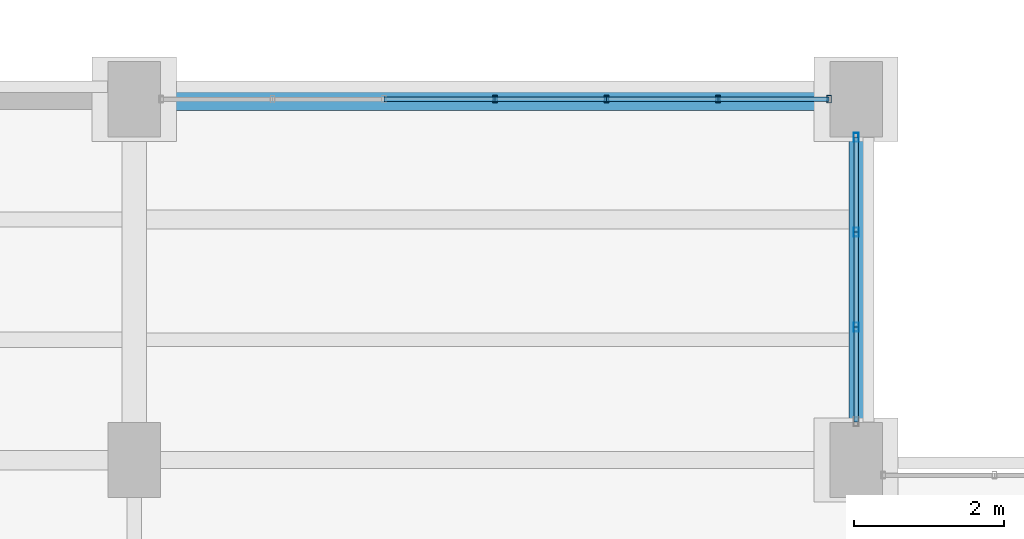
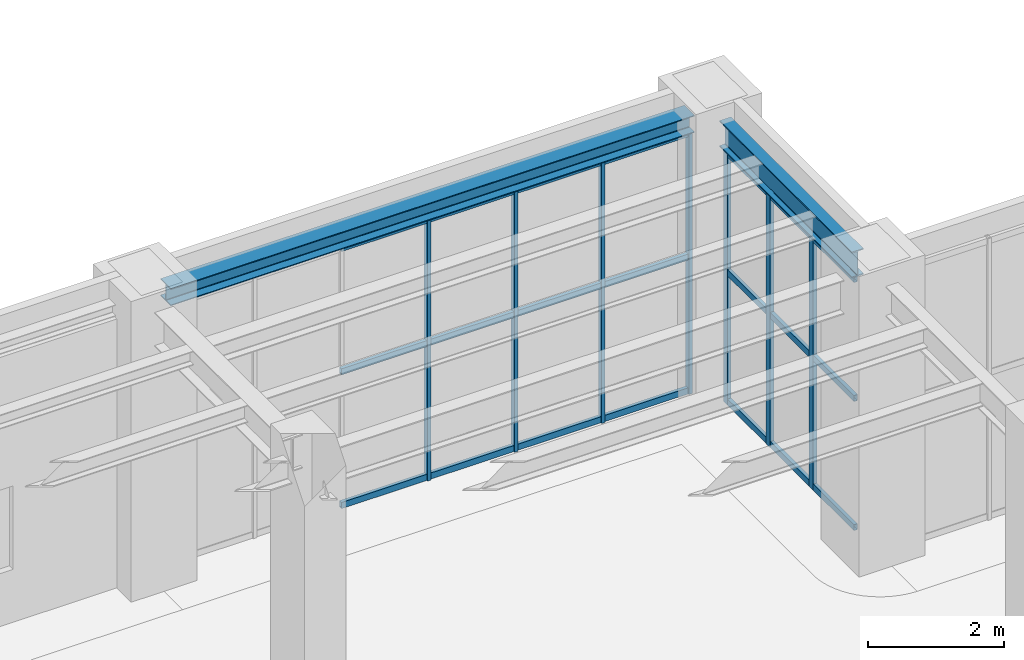
# One storey, part 89 of 164: 28 members, 2 beams, 2 elements without a shape of their own.
"""IFC4 building model written with IfcOpenShell, lengths in metres."""

from ifc_helpers import new_model, si_unit, direction, frame, origin, origin_2d, place, context, subcontext, project, spatial, hollow_rectangle, i_section, extrude, material, material_profile, profile_set, type_object, element, aggregate, save


model = new_model("IFC4")

# Units and contexts
model_context = context("Model", 3, precision=1e-05, world=origin(), true_north=direction((0.0, 1.0)))
body_context = subcontext(model_context, "Body", "Model", "MODEL_VIEW")
ifc_project = project(units=[si_unit("LENGTHUNIT", "METRE"), si_unit("AREAUNIT", "SQUARE_METRE"), si_unit("VOLUMEUNIT", "CUBIC_METRE"), si_unit("PLANEANGLEUNIT", "RADIAN"), si_unit("MASSUNIT", "GRAM", prefix="KILO")], contexts=[model_context])

# Site, building, storey
site_placement = place(None, origin())
site = spatial("IfcSite", under=ifc_project, at=site_placement, CompositionType="ELEMENT")
building_placement = place(site_placement, origin())
building = spatial("IfcBuilding", under=site, at=building_placement, Name="Mavantir Sound Aquarium", CompositionType="ELEMENT")
storey_placement = place(building_placement, origin())
storey = spatial("IfcBuildingStorey", under=building, at=storey_placement, Name="L00", CompositionType="ELEMENT", Elevation=0.0)

# Beams
ifc_material_1 = material(Name="Structural Steel ASTM A992 Gr50", Category="steel")
ifc_material_profile_1 = material_profile(ifc_material_1, i_section(OverallWidth=0.304931640625, OverallDepth=0.30810546875, WebThickness=0.010009765625, FlangeThickness=0.015380859375, FilletRadius=0.014892578125, at=origin_2d()), Name="W310X97")
ifc_profile_set_1 = profile_set([ifc_material_profile_1], Name="Structural Steel ASTM A992 Gr50")
beam_type_1 = type_object("IfcBeamType", Name="BM-W310X97-E", PredefinedType="SPANDREL", material=ifc_profile_set_1)
beam_1_placement = place(storey_placement, frame((108.35009765625, 95.60009765625, 4.912109375), z_axis=(1.0, 0.0, 0.0), x_axis=(0.0, 1.0, 0.0)))
element("IfcBeam", 1, at=beam_1_placement, inside=storey, type_object=beam_type_1, Name="L00 primary beam SS-31A 955", PredefinedType="SPANDREL", context=body_context, shape_type="SweptSolid", body=[
    extrude(i_section(OverallWidth=0.304931640625, OverallDepth=0.30810546875, WebThickness=0.010009765625, FlangeThickness=0.015380859375, FilletRadius=0.014892578125, at=origin_2d()), origin(), (0.0, 0.0, 1.0), 8.89990234375),
])
ifc_material_profile_2 = material_profile(ifc_material_1, i_section(OverallWidth=0.194091796875, OverallDepth=0.468994140625, WebThickness=0.0126953125, FlangeThickness=0.0205078125, FilletRadius=0.01611328125, at=origin_2d()), Name="W460X106")
ifc_profile_set_2 = profile_set([ifc_material_profile_2], Name="Structural Steel ASTM A992 Gr50")
beam_type_2 = type_object("IfcBeamType", Name="BM-W460X106-I", PredefinedType="BEAM", material=ifc_profile_set_2)
beam_2_placement = place(storey_placement, frame((117.60009765625, 91.25, 4.83154296875), z_axis=(0.0, 1.0, 0.0), x_axis=(-1.0, 0.0, 0.0)))
element("IfcBeam", 2, at=beam_2_placement, inside=storey, type_object=beam_type_2, Name="L00 primary girder SB-46 984", PredefinedType="BEAM", context=body_context, shape_type="SweptSolid", body=[
    extrude(i_section(OverallWidth=0.194091796875, OverallDepth=0.468994140625, WebThickness=0.0126953125, FlangeThickness=0.0205078125, FilletRadius=0.01611328125, at=origin_2d()), origin(), (0.0, 0.0, 1.0), 3.89990234375),
])

# Curtain wall, members
ifc_material_2 = material(Name="Anodised Marine Aluminium and Low-E Glass", Category="aluminium")
curtain_wall_type_1 = type_object("IfcCurtainWallType", Name="CW-T19", PredefinedType="USERDEFINED", material=ifc_material_2)
curtain_wall_1_placement = place(storey_placement, origin())
curtain_wall_1 = element("IfcCurtainWall", 3, at=curtain_wall_1_placement, inside=storey, type_object=curtain_wall_type_1, Name="L00 unitised curtain wall CW-19 19", ObjectType="UNITISED GLAZING", PredefinedType="USERDEFINED")
ifc_material_3 = material(Name="Anodised Marine Aluminium 6063-T6", Category="aluminium")
ifc_material_profile_3 = material_profile(ifc_material_3, hollow_rectangle(XDim=0.06005859375, YDim=0.10009765625, WallThickness=0.00390625, at=origin_2d()), Name="ALU-MULLION-100X60")
ifc_profile_set_3 = profile_set([ifc_material_profile_3], Name="Anodised Marine Aluminium 6063-T6")
member_type_1 = type_object("IfcMemberType", Name="CW-MUL-100", PredefinedType="MULLION", material=ifc_profile_set_3)
member_1_placement = place(storey_placement, frame((117.241943359375, 95.60009765625, 0.0), z_axis=(0.0, 0.0, 1.0), x_axis=(1.0, 0.0, 0.0)))
member_1 = element("IfcMember", 4, at=member_1_placement, type_object=member_type_1, Name="CW-L00-019 vertical mullion 1", PredefinedType="MULLION", context=body_context, shape_type="SweptSolid", body=[
    extrude(hollow_rectangle(XDim=0.06005859375, YDim=0.10009765625, WallThickness=0.00390625, at=origin_2d()), origin(), (0.0, 0.0, 1.0), 4.72802734375),
])
member_2_placement = place(storey_placement, frame((115.76123046875, 95.60009765625, 0.0), z_axis=(0.0, 0.0, 1.0), x_axis=(1.0, 0.0, 0.0)))
member_2 = element("IfcMember", 5, at=member_2_placement, type_object=member_type_1, Name="CW-L00-019 vertical mullion 2", PredefinedType="MULLION", context=body_context, shape_type="SweptSolid", body=[
    extrude(hollow_rectangle(XDim=0.06005859375, YDim=0.10009765625, WallThickness=0.00390625, at=origin_2d()), origin(), (0.0, 0.0, 1.0), 4.72802734375),
])
member_3_placement = place(storey_placement, frame((114.28076171875, 95.60009765625, 0.0), z_axis=(0.0, 0.0, 1.0), x_axis=(1.0, 0.0, 0.0)))
member_3 = element("IfcMember", 6, at=member_3_placement, type_object=member_type_1, Name="CW-L00-019 vertical mullion 3", PredefinedType="MULLION", context=body_context, shape_type="SweptSolid", body=[
    extrude(hollow_rectangle(XDim=0.06005859375, YDim=0.10009765625, WallThickness=0.00390625, at=origin_2d()), origin(), (0.0, 0.0, 1.0), 4.72802734375),
])
member_4_placement = place(storey_placement, frame((112.800048828125, 95.60009765625, 0.0), z_axis=(0.0, 0.0, 1.0), x_axis=(1.0, 0.0, 0.0)))
member_4 = element("IfcMember", 7, at=member_4_placement, type_object=member_type_1, Name="CW-L00-019 vertical mullion 4", PredefinedType="MULLION", context=body_context, shape_type="SweptSolid", body=[
    extrude(hollow_rectangle(XDim=0.06005859375, YDim=0.10009765625, WallThickness=0.00390625, at=origin_2d()), origin(), (0.0, 0.0, 1.0), 4.72802734375),
])

curtain_wall_type_2 = type_object("IfcCurtainWallType", Name="CW-T18", PredefinedType="USERDEFINED", material=ifc_material_2)
curtain_wall_2_placement = place(storey_placement, origin())
curtain_wall_2 = element("IfcCurtainWall", 8, at=curtain_wall_2_placement, inside=storey, type_object=curtain_wall_type_2, Name="L00 unitised curtain wall CW-18 18", ObjectType="UNITISED GLAZING", PredefinedType="USERDEFINED")
ifc_material_profile_4 = material_profile(ifc_material_3, hollow_rectangle(XDim=0.06494140625, YDim=0.1201171875, WallThickness=0.00390625, at=origin_2d()), Name="ALU-MULLION-120X65")
ifc_profile_set_4 = profile_set([ifc_material_profile_4], Name="Anodised Marine Aluminium 6063-T6")
member_type_2 = type_object("IfcMemberType", Name="CW-MUL-120", PredefinedType="MULLION", material=ifc_profile_set_4)
member_5_placement = place(storey_placement, frame((117.60009765625, 92.5693359375, 0.0), z_axis=(0.0, 0.0, 1.0), x_axis=(1.0, 0.0, 0.0)))
member_5 = element("IfcMember", 9, at=member_5_placement, type_object=member_type_2, Name="CW-L00-018 vertical mullion 2", PredefinedType="MULLION", context=body_context, shape_type="SweptSolid", body=[
    extrude(hollow_rectangle(XDim=0.06494140625, YDim=0.1201171875, WallThickness=0.00390625, at=origin_2d()), origin(), (0.0, 0.0, 1.0), 4.56689453125),
])
member_6_placement = place(storey_placement, frame((117.60009765625, 93.830810546875, 0.0), z_axis=(0.0, 0.0, 1.0), x_axis=(1.0, 0.0, 0.0)))
member_6 = element("IfcMember", 10, at=member_6_placement, type_object=member_type_2, Name="CW-L00-018 vertical mullion 3", PredefinedType="MULLION", context=body_context, shape_type="SweptSolid", body=[
    extrude(hollow_rectangle(XDim=0.06494140625, YDim=0.1201171875, WallThickness=0.00390625, at=origin_2d()), origin(), (0.0, 0.0, 1.0), 4.56689453125),
])
member_7_placement = place(storey_placement, frame((117.60009765625, 95.092041015625, 0.0), z_axis=(0.0, 0.0, 1.0), x_axis=(1.0, 0.0, 0.0)))
member_7 = element("IfcMember", 11, at=member_7_placement, type_object=member_type_2, Name="CW-L00-018 vertical mullion 4", PredefinedType="MULLION", context=body_context, shape_type="SweptSolid", body=[
    extrude(hollow_rectangle(XDim=0.06494140625, YDim=0.1201171875, WallThickness=0.00390625, at=origin_2d()), origin(), (0.0, 0.0, 1.0), 4.56689453125),
])
ifc_material_profile_5 = material_profile(ifc_material_3, hollow_rectangle(XDim=0.06005859375, YDim=0.110107421875, WallThickness=0.00390625, at=origin_2d()), Name="ALU-TRANSOM-110X60")
ifc_profile_set_5 = profile_set([ifc_material_profile_5], Name="Anodised Marine Aluminium 6063-T6")
member_type_3 = type_object("IfcMemberType", Name="CW-TRN-110", PredefinedType="USERDEFINED", material=ifc_profile_set_5)
member_8_placement = place(storey_placement, frame((117.60009765625, 91.30810546875, 0.054931640625), z_axis=(0.0, 1.0, 0.0), x_axis=(-1.0, 0.0, 0.0)))
member_8 = element("IfcMember", 12, at=member_8_placement, type_object=member_type_3, Name="CW-L00-018 transom 1.1", ObjectType="TRANSOM", PredefinedType="USERDEFINED", context=body_context, shape_type="SweptSolid", body=[
    extrude(hollow_rectangle(XDim=0.06005859375, YDim=0.110107421875, WallThickness=0.00390625, at=origin_2d()), origin(), (0.0, 0.0, 1.0), 1.26123046875),
])
member_9_placement = place(storey_placement, frame((117.60009765625, 91.30810546875, 2.374755859375), z_axis=(0.0, 1.0, 0.0), x_axis=(-1.0, 0.0, 0.0)))
member_9 = element("IfcMember", 13, at=member_9_placement, type_object=member_type_3, Name="CW-L00-018 transom 1.2", ObjectType="TRANSOM", PredefinedType="USERDEFINED", context=body_context, shape_type="SweptSolid", body=[
    extrude(hollow_rectangle(XDim=0.06005859375, YDim=0.110107421875, WallThickness=0.00390625, at=origin_2d()), origin(), (0.0, 0.0, 1.0), 1.26123046875),
])
member_10_placement = place(storey_placement, frame((117.60009765625, 91.30810546875, 4.511962890625), z_axis=(0.0, 1.0, 0.0), x_axis=(-1.0, 0.0, 0.0)))
member_10 = element("IfcMember", 14, at=member_10_placement, type_object=member_type_3, Name="CW-L00-018 transom 1.3", ObjectType="TRANSOM", PredefinedType="USERDEFINED", context=body_context, shape_type="SweptSolid", body=[
    extrude(hollow_rectangle(XDim=0.06005859375, YDim=0.110107421875, WallThickness=0.00390625, at=origin_2d()), origin(), (0.0, 0.0, 1.0), 1.26123046875),
])
member_11_placement = place(storey_placement, frame((117.60009765625, 92.5693359375, 0.054931640625), z_axis=(0.0, 1.0, 0.0), x_axis=(-1.0, 0.0, 0.0)))
member_11 = element("IfcMember", 15, at=member_11_placement, type_object=member_type_3, Name="CW-L00-018 transom 2.1", ObjectType="TRANSOM", PredefinedType="USERDEFINED", context=body_context, shape_type="SweptSolid", body=[
    extrude(hollow_rectangle(XDim=0.06005859375, YDim=0.110107421875, WallThickness=0.00390625, at=origin_2d()), origin(), (0.0, 0.0, 1.0), 1.261474609375),
])
member_12_placement = place(storey_placement, frame((117.60009765625, 92.5693359375, 2.374755859375), z_axis=(0.0, 1.0, 0.0), x_axis=(-1.0, 0.0, 0.0)))
member_12 = element("IfcMember", 16, at=member_12_placement, type_object=member_type_3, Name="CW-L00-018 transom 2.2", ObjectType="TRANSOM", PredefinedType="USERDEFINED", context=body_context, shape_type="SweptSolid", body=[
    extrude(hollow_rectangle(XDim=0.06005859375, YDim=0.110107421875, WallThickness=0.00390625, at=origin_2d()), origin(), (0.0, 0.0, 1.0), 1.261474609375),
])
member_13_placement = place(storey_placement, frame((117.60009765625, 92.5693359375, 4.511962890625), z_axis=(0.0, 1.0, 0.0), x_axis=(-1.0, 0.0, 0.0)))
member_13 = element("IfcMember", 17, at=member_13_placement, type_object=member_type_3, Name="CW-L00-018 transom 2.3", ObjectType="TRANSOM", PredefinedType="USERDEFINED", context=body_context, shape_type="SweptSolid", body=[
    extrude(hollow_rectangle(XDim=0.06005859375, YDim=0.110107421875, WallThickness=0.00390625, at=origin_2d()), origin(), (0.0, 0.0, 1.0), 1.261474609375),
])
member_14_placement = place(storey_placement, frame((117.60009765625, 93.830810546875, 0.054931640625), z_axis=(0.0, 1.0, 0.0), x_axis=(-1.0, 0.0, 0.0)))
member_14 = element("IfcMember", 18, at=member_14_placement, type_object=member_type_3, Name="CW-L00-018 transom 3.1", ObjectType="TRANSOM", PredefinedType="USERDEFINED", context=body_context, shape_type="SweptSolid", body=[
    extrude(hollow_rectangle(XDim=0.06005859375, YDim=0.110107421875, WallThickness=0.00390625, at=origin_2d()), origin(), (0.0, 0.0, 1.0), 1.26123046875),
])
member_15_placement = place(storey_placement, frame((117.60009765625, 93.830810546875, 2.374755859375), z_axis=(0.0, 1.0, 0.0), x_axis=(-1.0, 0.0, 0.0)))
member_15 = element("IfcMember", 19, at=member_15_placement, type_object=member_type_3, Name="CW-L00-018 transom 3.2", ObjectType="TRANSOM", PredefinedType="USERDEFINED", context=body_context, shape_type="SweptSolid", body=[
    extrude(hollow_rectangle(XDim=0.06005859375, YDim=0.110107421875, WallThickness=0.00390625, at=origin_2d()), origin(), (0.0, 0.0, 1.0), 1.26123046875),
])
member_16_placement = place(storey_placement, frame((117.60009765625, 93.830810546875, 4.511962890625), z_axis=(0.0, 1.0, 0.0), x_axis=(-1.0, 0.0, 0.0)))
member_16 = element("IfcMember", 20, at=member_16_placement, type_object=member_type_3, Name="CW-L00-018 transom 3.3", ObjectType="TRANSOM", PredefinedType="USERDEFINED", context=body_context, shape_type="SweptSolid", body=[
    extrude(hollow_rectangle(XDim=0.06005859375, YDim=0.110107421875, WallThickness=0.00390625, at=origin_2d()), origin(), (0.0, 0.0, 1.0), 1.26123046875),
])
aggregate(curtain_wall_2, [member_5, member_6, member_7, member_8, member_9, member_10, member_11, member_12, member_13, member_14, member_15, member_16])

# Member
member_17_placement = place(storey_placement, frame((117.241943359375, 95.60009765625, 0.054931640625), z_axis=(-1.0, 0.0, 0.0), x_axis=(0.0, -1.0, 0.0)))
member_17 = element("IfcMember", 21, at=member_17_placement, type_object=member_type_3, Name="CW-L00-019 transom 1.1", ObjectType="TRANSOM", PredefinedType="USERDEFINED", context=body_context, shape_type="SweptSolid", body=[
    extrude(hollow_rectangle(XDim=0.06005859375, YDim=0.110107421875, WallThickness=0.00390625, at=origin_2d()), origin(), (0.0, 0.0, 1.0), 1.480712890625),
])

member_18_placement = place(storey_placement, frame((117.241943359375, 95.60009765625, 2.45849609375), z_axis=(-1.0, 0.0, 0.0), x_axis=(0.0, -1.0, 0.0)))
member_18 = element("IfcMember", 22, at=member_18_placement, type_object=member_type_3, Name="CW-L00-019 transom 1.2", ObjectType="TRANSOM", PredefinedType="USERDEFINED", context=body_context, shape_type="SweptSolid", body=[
    extrude(hollow_rectangle(XDim=0.06005859375, YDim=0.110107421875, WallThickness=0.00390625, at=origin_2d()), origin(), (0.0, 0.0, 1.0), 1.480712890625),
])

member_19_placement = place(storey_placement, frame((117.241943359375, 95.60009765625, 4.673095703125), z_axis=(-1.0, 0.0, 0.0), x_axis=(0.0, -1.0, 0.0)))
member_19 = element("IfcMember", 23, at=member_19_placement, type_object=member_type_3, Name="CW-L00-019 transom 1.3", ObjectType="TRANSOM", PredefinedType="USERDEFINED", context=body_context, shape_type="SweptSolid", body=[
    extrude(hollow_rectangle(XDim=0.06005859375, YDim=0.110107421875, WallThickness=0.00390625, at=origin_2d()), origin(), (0.0, 0.0, 1.0), 1.480712890625),
])

member_20_placement = place(storey_placement, frame((115.76123046875, 95.60009765625, 0.054931640625), z_axis=(-1.0, 0.0, 0.0), x_axis=(0.0, -1.0, 0.0)))
member_20 = element("IfcMember", 24, at=member_20_placement, type_object=member_type_3, Name="CW-L00-019 transom 2.1", ObjectType="TRANSOM", PredefinedType="USERDEFINED", context=body_context, shape_type="SweptSolid", body=[
    extrude(hollow_rectangle(XDim=0.06005859375, YDim=0.110107421875, WallThickness=0.00390625, at=origin_2d()), origin(), (0.0, 0.0, 1.0), 1.48046875),
])

member_21_placement = place(storey_placement, frame((115.76123046875, 95.60009765625, 2.45849609375), z_axis=(-1.0, 0.0, 0.0), x_axis=(0.0, -1.0, 0.0)))
member_21 = element("IfcMember", 25, at=member_21_placement, type_object=member_type_3, Name="CW-L00-019 transom 2.2", ObjectType="TRANSOM", PredefinedType="USERDEFINED", context=body_context, shape_type="SweptSolid", body=[
    extrude(hollow_rectangle(XDim=0.06005859375, YDim=0.110107421875, WallThickness=0.00390625, at=origin_2d()), origin(), (0.0, 0.0, 1.0), 1.48046875),
])

member_22_placement = place(storey_placement, frame((115.76123046875, 95.60009765625, 4.673095703125), z_axis=(-1.0, 0.0, 0.0), x_axis=(0.0, -1.0, 0.0)))
member_22 = element("IfcMember", 26, at=member_22_placement, type_object=member_type_3, Name="CW-L00-019 transom 2.3", ObjectType="TRANSOM", PredefinedType="USERDEFINED", context=body_context, shape_type="SweptSolid", body=[
    extrude(hollow_rectangle(XDim=0.06005859375, YDim=0.110107421875, WallThickness=0.00390625, at=origin_2d()), origin(), (0.0, 0.0, 1.0), 1.48046875),
])

member_23_placement = place(storey_placement, frame((114.28076171875, 95.60009765625, 0.054931640625), z_axis=(-1.0, 0.0, 0.0), x_axis=(0.0, -1.0, 0.0)))
member_23 = element("IfcMember", 27, at=member_23_placement, type_object=member_type_3, Name="CW-L00-019 transom 3.1", ObjectType="TRANSOM", PredefinedType="USERDEFINED", context=body_context, shape_type="SweptSolid", body=[
    extrude(hollow_rectangle(XDim=0.06005859375, YDim=0.110107421875, WallThickness=0.00390625, at=origin_2d()), origin(), (0.0, 0.0, 1.0), 1.480712890625),
])

member_24_placement = place(storey_placement, frame((114.28076171875, 95.60009765625, 2.45849609375), z_axis=(-1.0, 0.0, 0.0), x_axis=(0.0, -1.0, 0.0)))
member_24 = element("IfcMember", 28, at=member_24_placement, type_object=member_type_3, Name="CW-L00-019 transom 3.2", ObjectType="TRANSOM", PredefinedType="USERDEFINED", context=body_context, shape_type="SweptSolid", body=[
    extrude(hollow_rectangle(XDim=0.06005859375, YDim=0.110107421875, WallThickness=0.00390625, at=origin_2d()), origin(), (0.0, 0.0, 1.0), 1.480712890625),
])

member_25_placement = place(storey_placement, frame((114.28076171875, 95.60009765625, 4.673095703125), z_axis=(-1.0, 0.0, 0.0), x_axis=(0.0, -1.0, 0.0)))
member_25 = element("IfcMember", 29, at=member_25_placement, type_object=member_type_3, Name="CW-L00-019 transom 3.3", ObjectType="TRANSOM", PredefinedType="USERDEFINED", context=body_context, shape_type="SweptSolid", body=[
    extrude(hollow_rectangle(XDim=0.06005859375, YDim=0.110107421875, WallThickness=0.00390625, at=origin_2d()), origin(), (0.0, 0.0, 1.0), 1.480712890625),
])

member_26_placement = place(storey_placement, frame((112.800048828125, 95.60009765625, 0.054931640625), z_axis=(-1.0, 0.0, 0.0), x_axis=(0.0, -1.0, 0.0)))
member_26 = element("IfcMember", 30, at=member_26_placement, type_object=member_type_3, Name="CW-L00-019 transom 4.1", ObjectType="TRANSOM", PredefinedType="USERDEFINED", context=body_context, shape_type="SweptSolid", body=[
    extrude(hollow_rectangle(XDim=0.06005859375, YDim=0.110107421875, WallThickness=0.00390625, at=origin_2d()), origin(), (0.0, 0.0, 1.0), 1.480712890625),
])

member_27_placement = place(storey_placement, frame((112.800048828125, 95.60009765625, 2.45849609375), z_axis=(-1.0, 0.0, 0.0), x_axis=(0.0, -1.0, 0.0)))
member_27 = element("IfcMember", 31, at=member_27_placement, type_object=member_type_3, Name="CW-L00-019 transom 4.2", ObjectType="TRANSOM", PredefinedType="USERDEFINED", context=body_context, shape_type="SweptSolid", body=[
    extrude(hollow_rectangle(XDim=0.06005859375, YDim=0.110107421875, WallThickness=0.00390625, at=origin_2d()), origin(), (0.0, 0.0, 1.0), 1.480712890625),
])

member_28_placement = place(storey_placement, frame((112.800048828125, 95.60009765625, 4.673095703125), z_axis=(-1.0, 0.0, 0.0), x_axis=(0.0, -1.0, 0.0)))
member_28 = element("IfcMember", 32, at=member_28_placement, type_object=member_type_3, Name="CW-L00-019 transom 4.3", ObjectType="TRANSOM", PredefinedType="USERDEFINED", context=body_context, shape_type="SweptSolid", body=[
    extrude(hollow_rectangle(XDim=0.06005859375, YDim=0.110107421875, WallThickness=0.00390625, at=origin_2d()), origin(), (0.0, 0.0, 1.0), 1.480712890625),
])

aggregate(curtain_wall_1, [member_1, member_2, member_3, member_4, member_17, member_18, member_19, member_20, member_21, member_22, member_23, member_24, member_25, member_26, member_27, member_28])

save(model, "model.ifc")
